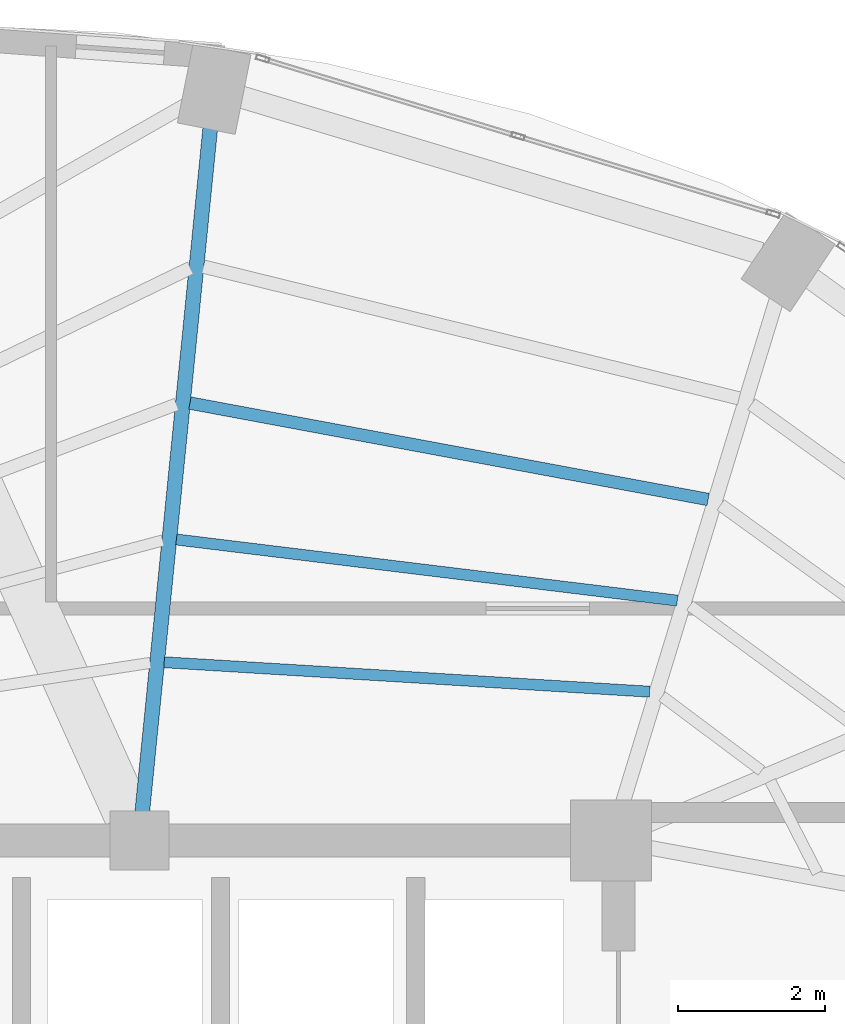
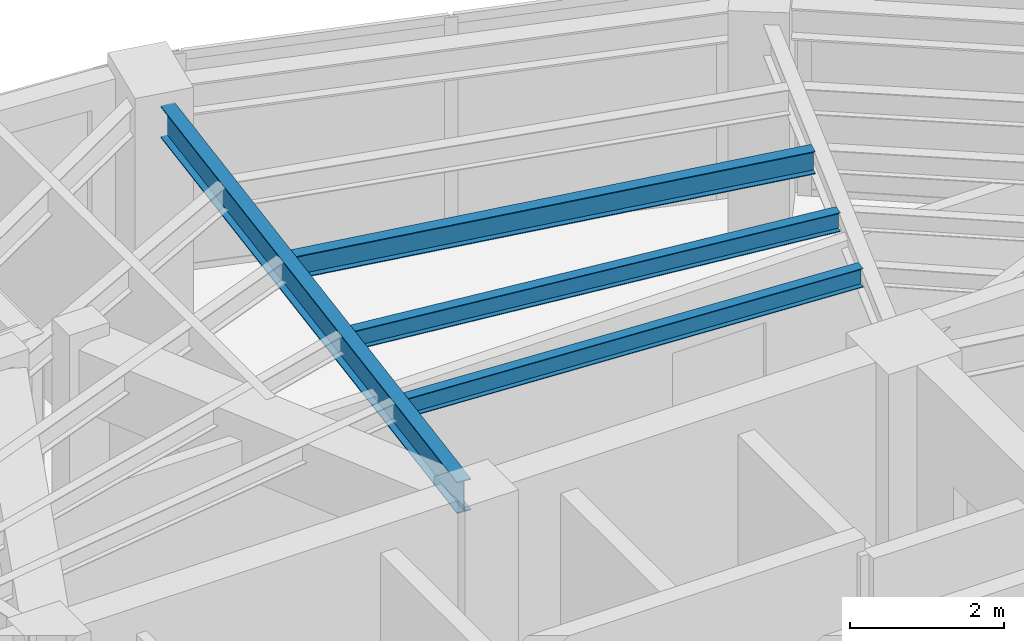
# One storey, part 12 of 22: 4 beams.
"""IFC4 building model written with IfcOpenShell, lengths in metres."""

from ifc_helpers import new_model, si_unit, direction, frame, origin, origin_2d, place, context, subcontext, project, spatial, i_section, extrude, material, material_profile, profile_set, type_object, element, save


model = new_model("IFC4")

# Units and contexts
model_context = context("Model", 3, precision=1e-05, world=origin(), true_north=direction((0.0, 1.0)))
body_context = subcontext(model_context, "Body", "Model", "MODEL_VIEW")
ifc_project = project(units=[si_unit("LENGTHUNIT", "METRE"), si_unit("AREAUNIT", "SQUARE_METRE"), si_unit("VOLUMEUNIT", "CUBIC_METRE"), si_unit("PLANEANGLEUNIT", "RADIAN"), si_unit("MASSUNIT", "GRAM", prefix="KILO")], contexts=[model_context])

# Site, building, storey
site_placement = place(None, origin())
site = spatial("IfcSite", under=ifc_project, at=site_placement, CompositionType="ELEMENT")
building_placement = place(site_placement, origin())
building = spatial("IfcBuilding", under=site, at=building_placement, Name="Lazwardi Medical Tower", CompositionType="ELEMENT")
storey_placement = place(building_placement, frame((0.0, 0.0, 258.672119140625)))
storey = spatial("IfcBuildingStorey", under=building, at=storey_placement, Name="L67", CompositionType="ELEMENT", Elevation=258.672119140625)

# Beams
ifc_material = material(Name="Steel S355", Category="steel")
ifc_material_profile_1 = material_profile(ifc_material, i_section(OverallWidth=0.199951171875, OverallDepth=0.5, WebThickness=0.01025390625, FlangeThickness=0.01611328125, at=origin_2d()), Name="IPE 500")
ifc_profile_set_1 = profile_set([ifc_material_profile_1], Name="Steel S355")
beam_type_1 = type_object("IfcBeamType", Name="BM-RG-W3", PredefinedType="BEAM", material=ifc_profile_set_1)
beam_1_placement = place(storey_placement, frame((40.1611328125, 45.265869140625, 3.197998046875), z_axis=(-0.098954361922, -0.995091972763, 0.0), x_axis=(0.995091972763, -0.098954361922, 0.0)))
element("IfcBeam", 1, at=beam_1_placement, inside=storey, type_object=beam_type_1, Name="Radial girder RG-04 R08 L67", PredefinedType="BEAM", context=body_context, shape_type="SweptSolid", body=[
    extrude(i_section(OverallWidth=0.199951171875, OverallDepth=0.5, WebThickness=0.01025390625, FlangeThickness=0.01611328125, at=origin_2d()), origin(), (0.0, 0.0, 1.0), 9.32861328125),
])
ifc_material_profile_2 = material_profile(ifc_material, i_section(OverallWidth=0.169921875, OverallDepth=0.360107421875, WebThickness=0.008056640625, FlangeThickness=0.0126953125, at=origin_2d()), Name="IPE 360")
ifc_profile_set_2 = profile_set([ifc_material_profile_2], Name="Steel S355")
beam_type_2 = type_object("IfcBeamType", Name="BM-SJ-02", PredefinedType="JOIST", material=ifc_profile_set_2)
beam_2_placement = place(storey_placement, frame((46.91552734375, 40.2275390625, 3.267822265625), z_axis=(-0.983132476587, 0.182894870019, 0.0), x_axis=(-0.182894870019, -0.983132476587, 0.0)))
element("IfcBeam", 2, at=beam_2_placement, inside=storey, type_object=beam_type_2, Name="Secondary joist SJ-02 R2 B07 L67", PredefinedType="JOIST", context=body_context, shape_type="SweptSolid", body=[
    extrude(i_section(OverallWidth=0.169921875, OverallDepth=0.360107421875, WebThickness=0.008056640625, FlangeThickness=0.0126953125, at=origin_2d()), origin(), (0.0, 0.0, 1.0), 7.15087890625),
])
ifc_material_profile_3 = material_profile(ifc_material, i_section(OverallWidth=0.14990234375, OverallDepth=0.300048828125, WebThickness=0.007080078125, FlangeThickness=0.0107421875, at=origin_2d()), Name="IPE 300")
ifc_profile_set_3 = profile_set([ifc_material_profile_3], Name="Steel S355")
beam_type_3 = type_object("IfcBeamType", Name="BM-SJ-03", PredefinedType="JOIST", material=ifc_profile_set_3)
beam_3_placement = place(storey_placement, frame((46.4970703125, 38.85546875, 3.2978515625), z_axis=(-0.992634689535, 0.121146081783, 0.0), x_axis=(-0.121146081783, -0.992634689535, 0.0)))
element("IfcBeam", 3, at=beam_3_placement, inside=storey, type_object=beam_type_3, Name="Secondary joist SJ-03 R3 B07 L67", PredefinedType="JOIST", context=body_context, shape_type="SweptSolid", body=[
    extrude(i_section(OverallWidth=0.14990234375, OverallDepth=0.300048828125, WebThickness=0.007080078125, FlangeThickness=0.0107421875, at=origin_2d()), origin(), (0.0, 0.0, 1.0), 6.845947265625),
])
beam_4_placement = place(storey_placement, frame((46.120849609375, 37.6201171875, 3.2978515625), z_axis=(-0.998165515862, 0.060544223044, 0.0), x_axis=(-0.060544223044, -0.998165515862, 0.0)))
element("IfcBeam", 4, at=beam_4_placement, inside=storey, type_object=beam_type_3, Name="Secondary joist SJ-03 R4 B07 L67", PredefinedType="JOIST", context=body_context, shape_type="SweptSolid", body=[
    extrude(i_section(OverallWidth=0.14990234375, OverallDepth=0.300048828125, WebThickness=0.007080078125, FlangeThickness=0.0107421875, at=origin_2d()), origin(), (0.0, 0.0, 1.0), 6.59716796875),
])

save(model, "model.ifc")
